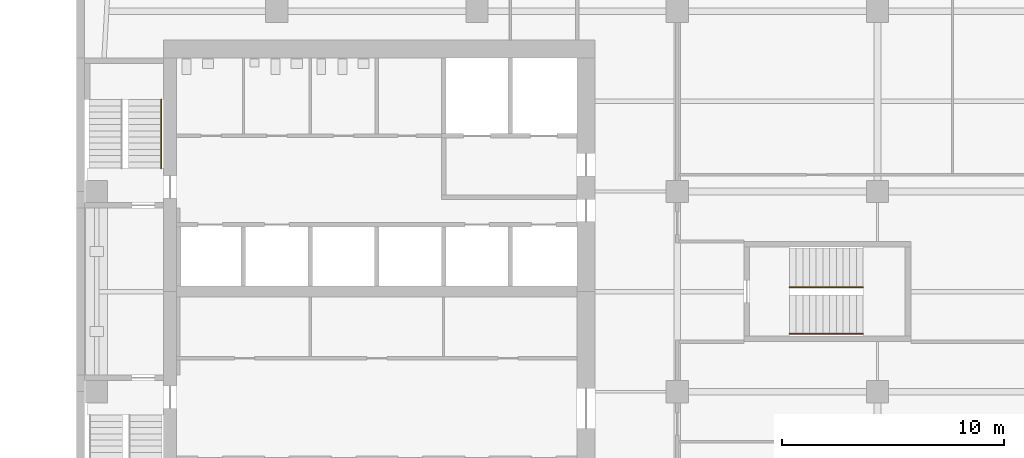
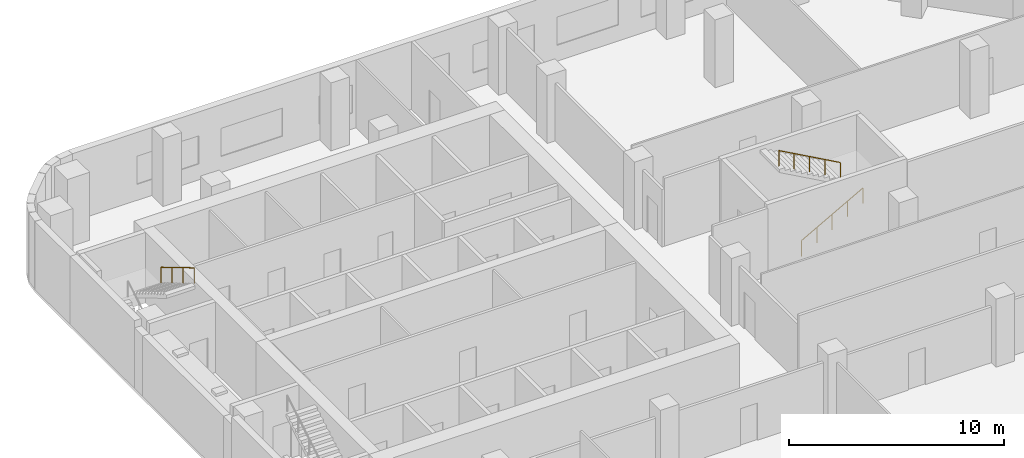
# One storey, part 13 of 14: 3 railings, 2 elements without a shape of their own.
"""IFC4 building model written with IfcOpenShell, lengths in metres."""

from ifc_helpers import new_model, si_unit, direction, frame, origin, origin_2d, place, context, subcontext, project, spatial, circle, extrude, material, type_object, element, aggregate, save


model = new_model("IFC4")

# Units and contexts
model_context = context("Model", 3, precision=1e-05, world=origin(), true_north=direction((0.0, 1.0)))
body_context = subcontext(model_context, "Body", "Model", "MODEL_VIEW")
ifc_project = project(units=[si_unit("LENGTHUNIT", "METRE"), si_unit("AREAUNIT", "SQUARE_METRE"), si_unit("VOLUMEUNIT", "CUBIC_METRE"), si_unit("PLANEANGLEUNIT", "RADIAN"), si_unit("MASSUNIT", "GRAM", prefix="KILO")], contexts=[model_context])

# Site, building, storey
site_placement = place(None, origin())
site = spatial("IfcSite", under=ifc_project, at=site_placement, CompositionType="ELEMENT")
building_placement = place(site_placement, origin())
building = spatial("IfcBuilding", under=site, at=building_placement, Name="Cinnabar Reach Civic Tower", CompositionType="ELEMENT")
storey_placement = place(building_placement, frame((0.0, 0.0, 136.0)))
storey = spatial("IfcBuildingStorey", under=building, at=storey_placement, Name="L32", CompositionType="ELEMENT", Elevation=136.0)

# Stair, railing
ifc_material_1 = material(Name="Concrete C40/50", Category="concrete")
stair_type = type_object("IfcStairType", Name="T1 Exit stair, half-turn", PredefinedType="HALF_TURN_STAIR", material=ifc_material_1)
stair_1_placement = place(storey_placement, origin())
stair_1 = element("IfcStair", 1, at=stair_1_placement, inside=storey, type_object=stair_type, Name="Stair T1-S2", PredefinedType="HALF_TURN_STAIR")
ifc_material_2 = material(Name="Stainless steel tube", Category="steel")
railing_type = type_object("IfcRailingType", Name="T1 Stair handrail, stainless tube 48", PredefinedType="HANDRAIL", material=ifc_material_2)
railing_1_placement = place(storey_placement, frame((3.8, 40.13, 2.1667)))
railing_1 = element("IfcRailing", 2, at=railing_1_placement, type_object=railing_type, Name="T1-S2 handrail 2", PredefinedType="HANDRAIL", context=body_context, shape_type="SweptSolid", body=[
    extrude(circle(Radius=0.024, at=origin_2d()), frame((0.0, 0.0, 0.876), z_axis=(0.0, -0.859296971757, 0.511476992962), x_axis=(1.0, 0.0, 0.0)), (0.0, 0.0, 1.0), 3.5843),
    extrude(circle(Radius=0.021, at=origin_2d()), origin(), (0.0, 0.0, 1.0), 0.852),
    extrude(circle(Radius=0.021, at=origin_2d()), frame((0.0, -1.0267, 0.6111)), (0.0, 0.0, 1.0), 0.852),
    extrude(circle(Radius=0.021, at=origin_2d()), frame((0.0, -2.0533, 1.2222)), (0.0, 0.0, 1.0), 0.852),
    extrude(circle(Radius=0.021, at=origin_2d()), frame((0.0, -3.08, 1.8333)), (0.0, 0.0, 1.0), 0.852),
])
aggregate(stair_1, [railing_1])

# Stair, railings
stair_2_placement = place(storey_placement, origin())
stair_2 = element("IfcStair", 3, at=stair_2_placement, inside=storey, type_object=stair_type, Name="Stair T1-S3", PredefinedType="HALF_TURN_STAIR")
railing_2_placement = place(storey_placement, frame((32.05, 29.6, 0.1667)))
railing_2 = element("IfcRailing", 4, at=railing_2_placement, type_object=railing_type, Name="T1-S3 handrail 1", PredefinedType="HANDRAIL", context=body_context, shape_type="SweptSolid", body=[
    extrude(circle(Radius=0.024, at=origin_2d()), frame((0.0, 0.0, 0.876), z_axis=(0.874161024642, 0.0, 0.485636183781), x_axis=(0.0, 1.0, 0.0)), (0.0, 0.0, 1.0), 3.775),
    extrude(circle(Radius=0.021, at=origin_2d()), origin(), (0.0, 0.0, 1.0), 0.852),
    extrude(circle(Radius=0.021, at=origin_2d()), frame((0.825, 0.0, 0.4583)), (0.0, 0.0, 1.0), 0.852),
    extrude(circle(Radius=0.021, at=origin_2d()), frame((1.65, 0.0, 0.9167)), (0.0, 0.0, 1.0), 0.852),
    extrude(circle(Radius=0.021, at=origin_2d()), frame((2.475, 0.0, 1.375)), (0.0, 0.0, 1.0), 0.852),
    extrude(circle(Radius=0.021, at=origin_2d()), frame((3.3, 0.0, 1.8333)), (0.0, 0.0, 1.0), 0.852),
])
railing_3_placement = place(storey_placement, frame((35.35, 31.7, 2.1667)))
railing_3 = element("IfcRailing", 5, at=railing_3_placement, type_object=railing_type, Name="T1-S3 handrail 2", PredefinedType="HANDRAIL", context=body_context, shape_type="SweptSolid", body=[
    extrude(circle(Radius=0.024, at=origin_2d()), frame((0.0, 0.0, 0.876), z_axis=(-0.874161024642, 0.0, 0.485636183781), x_axis=(0.0, -1.0, 0.0)), (0.0, 0.0, 1.0), 3.775),
    extrude(circle(Radius=0.021, at=origin_2d()), origin(), (0.0, 0.0, 1.0), 0.852),
    extrude(circle(Radius=0.021, at=origin_2d()), frame((-0.825, 0.0, 0.4583)), (0.0, 0.0, 1.0), 0.852),
    extrude(circle(Radius=0.021, at=origin_2d()), frame((-1.65, 0.0, 0.9167)), (0.0, 0.0, 1.0), 0.852),
    extrude(circle(Radius=0.021, at=origin_2d()), frame((-2.475, 0.0, 1.375)), (0.0, 0.0, 1.0), 0.852),
    extrude(circle(Radius=0.021, at=origin_2d()), frame((-3.3, 0.0, 1.8333)), (0.0, 0.0, 1.0), 0.852),
])
aggregate(stair_2, [railing_2, railing_3])

save(model, "model.ifc")
